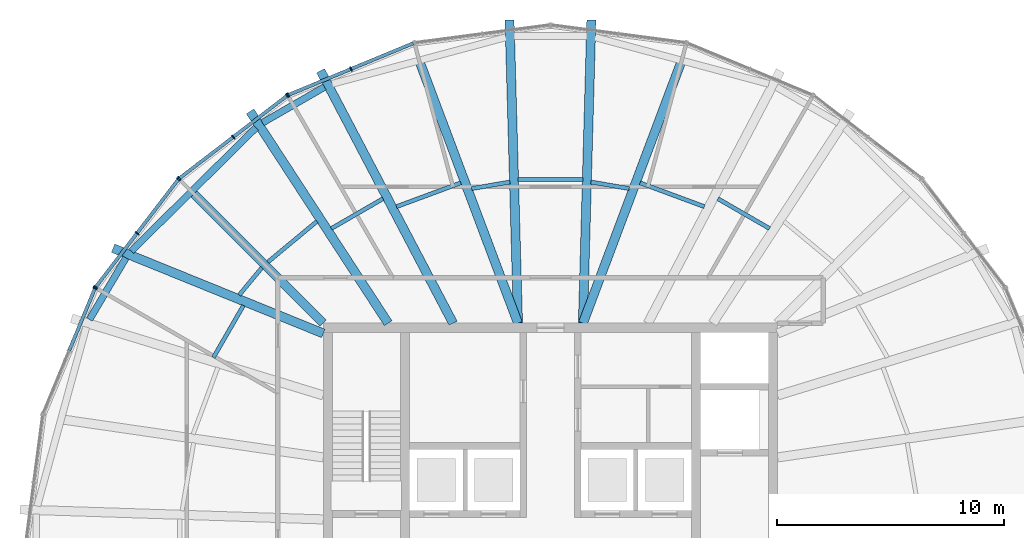
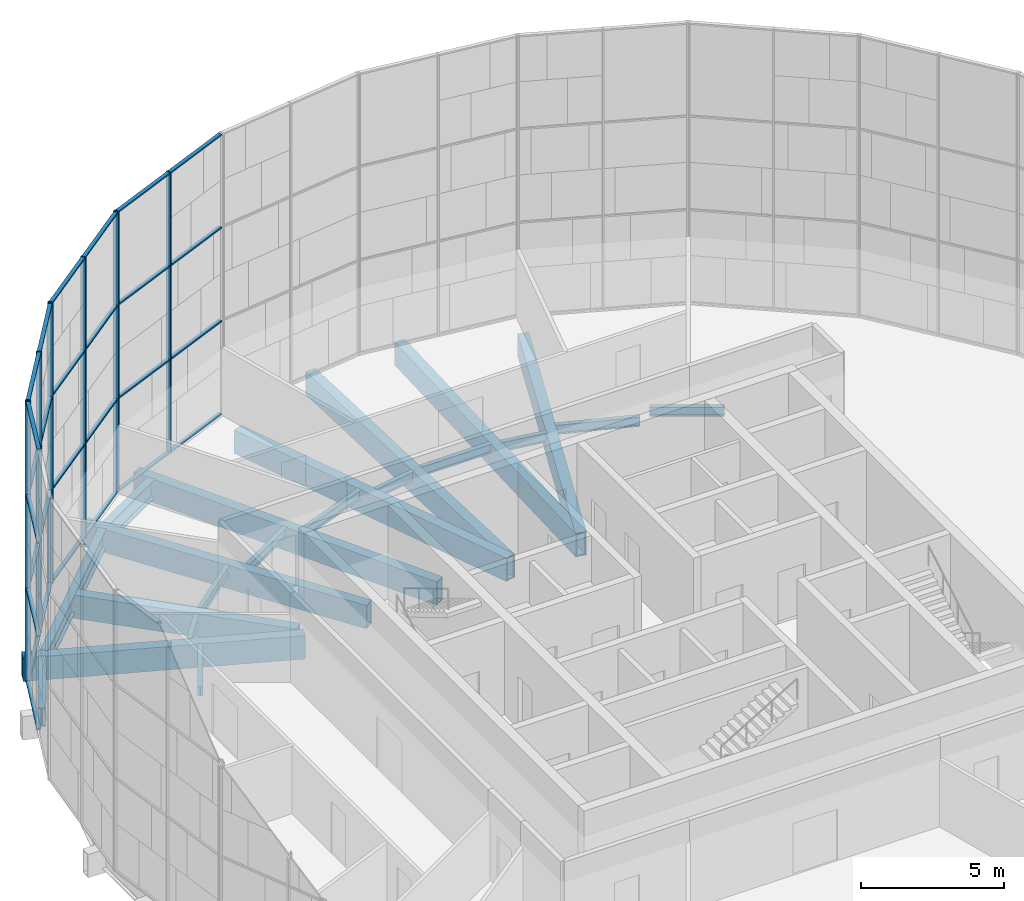
# One storey, part 6 of 23: 37 members, 21 beams, 4 elements without a shape of their own.
"""IFC4 building model written with IfcOpenShell, lengths in metres."""

from ifc_helpers import new_model, si_unit, direction, frame, origin, origin_2d, place, context, subcontext, project, spatial, rectangle, hollow_rectangle, i_section, extrude, material, material_profile, profile_set, type_object, element, aggregate, save


model = new_model("IFC4")

# Units and contexts
model_context = context("Model", 3, precision=1e-05, world=origin(), true_north=direction((0.0, 1.0)))
body_context = subcontext(model_context, "Body", "Model", "MODEL_VIEW")
ifc_project = project(units=[si_unit("LENGTHUNIT", "METRE"), si_unit("AREAUNIT", "SQUARE_METRE"), si_unit("VOLUMEUNIT", "CUBIC_METRE"), si_unit("PLANEANGLEUNIT", "RADIAN"), si_unit("MASSUNIT", "GRAM", prefix="KILO")], contexts=[model_context])

# Site, building, storey
site_placement = place(None, origin())
site = spatial("IfcSite", under=ifc_project, at=site_placement, CompositionType="ELEMENT")
building_placement = place(site_placement, origin())
building = spatial("IfcBuilding", under=site, at=building_placement, Name="Golbaran Civic Tower", CompositionType="ELEMENT")
storey_placement = place(building_placement, frame((0.0, 0.0, 220.0)))
storey = spatial("IfcBuildingStorey", under=building, at=storey_placement, Name="L53", CompositionType="ELEMENT", Elevation=220.0)

# Beams
ifc_material_1 = material(Name="Steel S355", Category="steel")
ifc_material_profile_1 = material_profile(ifc_material_1, i_section(OverallWidth=0.300048828125, OverallDepth=0.800048828125, WebThickness=0.017578125, FlangeThickness=0.032958984375, FilletRadius=0.030029296875, at=origin_2d()), Name="HEB 800")
ifc_profile_set_1 = profile_set([ifc_material_profile_1], Name="Steel S355")
beam_type_1 = type_object("IfcBeamType", Name="EDGE BEAM HEB 800", PredefinedType="BEAM", material=ifc_profile_set_1)
beam_1_placement = place(storey_placement, frame((-9.946044921875, 20.39697265625, -0.60009765625), z_axis=(-0.866234572261, -0.499637534438, 0.0), x_axis=(0.499637534438, -0.866234572261, 0.0)))
element("IfcBeam", 1, at=beam_1_placement, inside=storey, type_object=beam_type_1, Name="Edge beam 115.65 L53", PredefinedType="BEAM", context=body_context, shape_type="SweptSolid", body=[
    extrude(i_section(OverallWidth=0.300048828125, OverallDepth=0.800048828125, WebThickness=0.017578125, FlangeThickness=0.032958984375, FilletRadius=0.030029296875, at=origin_2d()), origin(), (0.0, 0.0, 1.0), 3.152587890625),
])
beam_2_placement = place(storey_placement, frame((-12.963623046875, 18.6025390625, -0.60009765625), z_axis=(-0.710954638033, -0.703237870609, 0.0), x_axis=(0.703237870609, -0.710954638033, 0.0)))
element("IfcBeam", 2, at=beam_2_placement, inside=storey, type_object=beam_type_1, Name="Edge beam 124.35 L53", PredefinedType="BEAM", context=body_context, shape_type="SweptSolid", body=[
    extrude(i_section(OverallWidth=0.300048828125, OverallDepth=0.800048828125, WebThickness=0.017578125, FlangeThickness=0.032958984375, FilletRadius=0.030029296875, at=origin_2d()), origin(), (0.0, 0.0, 1.0), 7.719482421875),
])
beam_3_placement = place(storey_placement, frame((-18.683837890625, 12.87939453125, -0.60009765625), z_axis=(-0.508797064338, -0.860886489219, 0.0), x_axis=(0.860886489219, -0.508797064338, 0.0)))
element("IfcBeam", 3, at=beam_3_placement, inside=storey, type_object=beam_type_1, Name="Edge beam 145.65 L53", PredefinedType="BEAM", context=body_context, shape_type="SweptSolid", body=[
    extrude(i_section(OverallWidth=0.300048828125, OverallDepth=0.800048828125, WebThickness=0.017578125, FlangeThickness=0.032958984375, FilletRadius=0.030029296875, at=origin_2d()), origin(), (0.0, 0.0, 1.0), 3.156494140625),
])
ifc_material_profile_2 = material_profile(ifc_material_1, i_section(OverallWidth=0.179931640625, OverallDepth=0.39990234375, WebThickness=0.008544921875, FlangeThickness=0.013427734375, FilletRadius=0.02099609375, at=origin_2d()), Name="IPE 400")
ifc_profile_set_2 = profile_set([ifc_material_profile_2], Name="Steel S355")
beam_type_2 = type_object("IfcBeamType", Name="FLOOR INFILL BEAM IPE 400", PredefinedType="BEAM", material=ifc_profile_set_2)
beam_4_placement = place(storey_placement, frame((9.64453125, 14.16845703125, -0.39990234375), z_axis=(-0.86602945008, 0.499992991546, 0.0), x_axis=(-0.499992991546, -0.86602945008, 0.0)))
element("IfcBeam", 4, at=beam_4_placement, inside=storey, type_object=beam_type_2, Name="Infill beam 60.00 L53", PredefinedType="BEAM", context=body_context, shape_type="SweptSolid", body=[
    extrude(i_section(OverallWidth=0.179931640625, OverallDepth=0.39990234375, WebThickness=0.008544921875, FlangeThickness=0.013427734375, FilletRadius=0.02099609375, at=origin_2d()), origin(), (0.0, 0.0, 1.0), 2.6298828125),
])
beam_5_placement = place(storey_placement, frame((6.775390625, 15.130859375, -0.39990234375), z_axis=(-0.937714606375, 0.347406558646, 0.0), x_axis=(-0.347406558646, -0.937714606375, 0.0)))
element("IfcBeam", 5, at=beam_5_placement, inside=storey, type_object=beam_type_2, Name="Infill beam 69.67 L53", PredefinedType="BEAM", context=body_context, shape_type="SweptSolid", body=[
    extrude(i_section(OverallWidth=0.179931640625, OverallDepth=0.39990234375, WebThickness=0.008544921875, FlangeThickness=0.013427734375, FilletRadius=0.02099609375, at=origin_2d()), origin(), (0.0, 0.0, 1.0), 3.018310546875),
])
beam_6_placement = place(storey_placement, frame((3.465576171875, 15.92724609375, -0.39990234375), z_axis=(-0.985796509331, 0.167944163907, 0.0), x_axis=(-0.167944163907, -0.985796509331, 0.0)))
element("IfcBeam", 6, at=beam_6_placement, inside=storey, type_object=beam_type_2, Name="Infill beam 80.33 L53", PredefinedType="BEAM", context=body_context, shape_type="SweptSolid", body=[
    extrude(i_section(OverallWidth=0.179931640625, OverallDepth=0.39990234375, WebThickness=0.008544921875, FlangeThickness=0.013427734375, FilletRadius=0.02099609375, at=origin_2d()), origin(), (0.0, 0.0, 1.0), 1.7080078125),
])
beam_7_placement = place(storey_placement, frame((1.424560546875, 16.318115234375, -0.39990234375), z_axis=(-1.0, 0.0, 0.0), x_axis=(0.0, -1.0, 0.0)))
element("IfcBeam", 7, at=beam_7_placement, inside=storey, type_object=beam_type_2, Name="Infill beam 90.00 L53", PredefinedType="BEAM", context=body_context, shape_type="SweptSolid", body=[
    extrude(i_section(OverallWidth=0.179931640625, OverallDepth=0.39990234375, WebThickness=0.008544921875, FlangeThickness=0.013427734375, FilletRadius=0.02099609375, at=origin_2d()), origin(), (0.0, 0.0, 1.0), 2.84912109375),
])
beam_8_placement = place(storey_placement, frame((-1.78173828125, 16.214111328125, -0.39990234375), z_axis=(-0.985796509331, -0.167944163907, 0.0), x_axis=(0.167944163907, -0.985796509331, 0.0)))
element("IfcBeam", 8, at=beam_8_placement, inside=storey, type_object=beam_type_2, Name="Infill beam 99.67 L53", PredefinedType="BEAM", context=body_context, shape_type="SweptSolid", body=[
    extrude(i_section(OverallWidth=0.179931640625, OverallDepth=0.39990234375, WebThickness=0.008544921875, FlangeThickness=0.013427734375, FilletRadius=0.02099609375, at=origin_2d()), origin(), (0.0, 0.0, 1.0), 1.7080078125),
])
beam_9_placement = place(storey_placement, frame((-3.945068359375, 16.179443359375, -0.39990234375), z_axis=(-0.937714606375, -0.347406558646, 0.0), x_axis=(0.347406558646, -0.937714606375, 0.0)))
element("IfcBeam", 9, at=beam_9_placement, inside=storey, type_object=beam_type_2, Name="Infill beam 110.33 L53", PredefinedType="BEAM", context=body_context, shape_type="SweptSolid", body=[
    extrude(i_section(OverallWidth=0.179931640625, OverallDepth=0.39990234375, WebThickness=0.008544921875, FlangeThickness=0.013427734375, FilletRadius=0.02099609375, at=origin_2d()), origin(), (0.0, 0.0, 1.0), 3.018310546875),
])
beam_10_placement = place(storey_placement, frame((-7.366943359375, 15.4833984375, -0.39990234375), z_axis=(-0.86602945008, -0.499992991546, 0.0), x_axis=(0.499992991546, -0.86602945008, 0.0)))
element("IfcBeam", 10, at=beam_10_placement, inside=storey, type_object=beam_type_2, Name="Infill beam 120.00 L53", PredefinedType="BEAM", context=body_context, shape_type="SweptSolid", body=[
    extrude(i_section(OverallWidth=0.179931640625, OverallDepth=0.39990234375, WebThickness=0.008544921875, FlangeThickness=0.013427734375, FilletRadius=0.02099609375, at=origin_2d()), origin(), (0.0, 0.0, 1.0), 2.6298828125),
])
beam_11_placement = place(storey_placement, frame((-10.279296875, 14.483154296875, -0.39990234375), z_axis=(-0.769689102047, -0.638418895546, 0.0), x_axis=(0.638418895546, -0.769689102047, 0.0)))
element("IfcBeam", 11, at=beam_11_placement, inside=storey, type_object=beam_type_2, Name="Infill beam 129.67 L53", PredefinedType="BEAM", context=body_context, shape_type="SweptSolid", body=[
    extrude(i_section(OverallWidth=0.179931640625, OverallDepth=0.39990234375, WebThickness=0.008544921875, FlangeThickness=0.013427734375, FilletRadius=0.02099609375, at=origin_2d()), origin(), (0.0, 0.0, 1.0), 2.8046875),
])
beam_12_placement = place(storey_placement, frame((-12.70068359375, 12.446044921875, -0.39990234375), z_axis=(-0.638367510065, -0.769731720857, 0.0), x_axis=(0.769731720857, -0.638367510065, 0.0)))
element("IfcBeam", 12, at=beam_12_placement, inside=storey, type_object=beam_type_2, Name="Infill beam 140.33 L53", PredefinedType="BEAM", context=body_context, shape_type="SweptSolid", body=[
    extrude(i_section(OverallWidth=0.179931640625, OverallDepth=0.39990234375, WebThickness=0.008544921875, FlangeThickness=0.013427734375, FilletRadius=0.02099609375, at=origin_2d()), origin(), (0.0, 0.0, 1.0), 1.56103515625),
])
beam_13_placement = place(storey_placement, frame((-13.5126953125, 10.781005859375, -0.39990234375), z_axis=(-0.500031469177, -0.866007234284, 0.0), x_axis=(0.866007234284, -0.500031469177, 0.0)))
element("IfcBeam", 13, at=beam_13_placement, inside=storey, type_object=beam_type_2, Name="Infill beam 150.00 L53", PredefinedType="BEAM", context=body_context, shape_type="SweptSolid", body=[
    extrude(i_section(OverallWidth=0.179931640625, OverallDepth=0.39990234375, WebThickness=0.008544921875, FlangeThickness=0.013427734375, FilletRadius=0.02099609375, at=origin_2d()), origin(), (0.0, 0.0, 1.0), 2.644287109375),
])

# Curtain wall, members
ifc_material_2 = material(Name="Aluminium and glass", Category="aluminium")
curtain_wall_type = type_object("IfcCurtainWallType", Name="INNER SKIN CURTAIN WALL EXECUTIVE", PredefinedType="NOTDEFINED", material=ifc_material_2)
curtain_wall_1_placement = place(storey_placement, origin())
curtain_wall_1 = element("IfcCurtainWall", 14, at=curtain_wall_1_placement, inside=storey, type_object=curtain_wall_type, Name="Inner skin L53 facet 8 CW2", ObjectType="INNER SKIN", PredefinedType="USERDEFINED")
ifc_material_3 = material(Name="Aluminium", Category="aluminium")
ifc_material_profile_3 = material_profile(ifc_material_3, rectangle(XDim=0.199951171875, YDim=0.06005859375, at=origin_2d()), Name="INNER SKIN CURTAIN WALL EXECUTIVE MULLION")
ifc_profile_set_3 = profile_set([ifc_material_profile_3], Name="Aluminium")
member_type_1 = type_object("IfcMemberType", Name="INNER SKIN CURTAIN WALL EXECUTIVE MULLION", PredefinedType="MULLION", material=ifc_profile_set_3)
member_1_placement = place(storey_placement, frame((-8.77734375, 21.190185546875, 0.0), z_axis=(0.0, 0.0, 1.0), x_axis=(0.382683432317, -0.923879532531, 0.0)))
member_1 = element("IfcMember", 15, at=member_1_placement, type_object=member_type_1, Name="CW2 mullion 2", PredefinedType="MULLION", context=body_context, shape_type="SweptSolid", body=[
    extrude(rectangle(XDim=0.199951171875, YDim=0.06005859375, at=origin_2d()), origin(), (0.0, 0.0, 1.0), 12.0),
])
member_2_placement = place(storey_placement, frame((-11.539306640625, 20.046142578125, 0.0), z_axis=(0.0, 0.0, 1.0), x_axis=(0.382683432317, -0.923879532531, 0.0)))
member_2 = element("IfcMember", 16, at=member_2_placement, type_object=member_type_1, Name="CW2 mullion 3", PredefinedType="MULLION", context=body_context, shape_type="SweptSolid", body=[
    extrude(rectangle(XDim=0.199951171875, YDim=0.06005859375, at=origin_2d()), origin(), (0.0, 0.0, 1.0), 12.0),
])

curtain_wall_2_placement = place(storey_placement, origin())
curtain_wall_2 = element("IfcCurtainWall", 17, at=curtain_wall_2_placement, inside=storey, type_object=curtain_wall_type, Name="Inner skin L53 facet 9 CW2", ObjectType="INNER SKIN", PredefinedType="USERDEFINED")
member_3_placement = place(storey_placement, frame((-11.5908203125, 20.016357421875, 0.0), z_axis=(0.0, 0.0, 1.0), x_axis=(0.608761428981, -0.793353340312, 0.0)))
member_3 = element("IfcMember", 18, at=member_3_placement, type_object=member_type_1, Name="CW2 mullion 1", PredefinedType="MULLION", context=body_context, shape_type="SweptSolid", body=[
    extrude(rectangle(XDim=0.199951171875, YDim=0.06005859375, at=origin_2d()), origin(), (0.0, 0.0, 1.0), 12.0),
])
member_4_placement = place(storey_placement, frame((-13.962646484375, 18.196533203125, 0.0), z_axis=(0.0, 0.0, 1.0), x_axis=(0.608761428981, -0.793353340312, 0.0)))
member_4 = element("IfcMember", 19, at=member_4_placement, type_object=member_type_1, Name="CW2 mullion 2", PredefinedType="MULLION", context=body_context, shape_type="SweptSolid", body=[
    extrude(rectangle(XDim=0.199951171875, YDim=0.06005859375, at=origin_2d()), origin(), (0.0, 0.0, 1.0), 12.0),
])
member_5_placement = place(storey_placement, frame((-16.33447265625, 16.37646484375, 0.0), z_axis=(0.0, 0.0, 1.0), x_axis=(0.608761428981, -0.793353340312, 0.0)))
member_5 = element("IfcMember", 20, at=member_5_placement, type_object=member_type_1, Name="CW2 mullion 3", PredefinedType="MULLION", context=body_context, shape_type="SweptSolid", body=[
    extrude(rectangle(XDim=0.199951171875, YDim=0.06005859375, at=origin_2d()), origin(), (0.0, 0.0, 1.0), 12.0),
])

curtain_wall_3_placement = place(storey_placement, origin())
curtain_wall_3 = element("IfcCurtainWall", 21, at=curtain_wall_3_placement, inside=storey, type_object=curtain_wall_type, Name="Inner skin L53 facet 10 CW2", ObjectType="INNER SKIN", PredefinedType="USERDEFINED")
member_6_placement = place(storey_placement, frame((-16.37646484375, 16.33447265625, 0.0), z_axis=(0.0, 0.0, 1.0), x_axis=(0.793353340312, -0.608761428981, 0.0)))
member_6 = element("IfcMember", 22, at=member_6_placement, type_object=member_type_1, Name="CW2 mullion 1", PredefinedType="MULLION", context=body_context, shape_type="SweptSolid", body=[
    extrude(rectangle(XDim=0.199951171875, YDim=0.06005859375, at=origin_2d()), origin(), (0.0, 0.0, 1.0), 12.0),
])
member_7_placement = place(storey_placement, frame((-18.196533203125, 13.962646484375, 0.0), z_axis=(0.0, 0.0, 1.0), x_axis=(0.793353340312, -0.608761428981, 0.0)))
member_7 = element("IfcMember", 23, at=member_7_placement, type_object=member_type_1, Name="CW2 mullion 2", PredefinedType="MULLION", context=body_context, shape_type="SweptSolid", body=[
    extrude(rectangle(XDim=0.199951171875, YDim=0.06005859375, at=origin_2d()), origin(), (0.0, 0.0, 1.0), 12.0),
])
member_8_placement = place(storey_placement, frame((-20.016357421875, 11.5908203125, 0.0), z_axis=(0.0, 0.0, 1.0), x_axis=(0.793353340312, -0.608761428981, 0.0)))
member_8 = element("IfcMember", 24, at=member_8_placement, type_object=member_type_1, Name="CW2 mullion 3", PredefinedType="MULLION", context=body_context, shape_type="SweptSolid", body=[
    extrude(rectangle(XDim=0.199951171875, YDim=0.06005859375, at=origin_2d()), origin(), (0.0, 0.0, 1.0), 12.0),
])

# Curtain wall, member
curtain_wall_4_placement = place(storey_placement, origin())
curtain_wall_4 = element("IfcCurtainWall", 25, at=curtain_wall_4_placement, inside=storey, type_object=curtain_wall_type, Name="Inner skin L53 facet 11 CW2", ObjectType="INNER SKIN", PredefinedType="USERDEFINED")
member_9_placement = place(storey_placement, frame((-20.046142578125, 11.539306640625, 0.0), z_axis=(0.0, 0.0, 1.0), x_axis=(0.923879532531, -0.382683432317, 0.0)))
member_9 = element("IfcMember", 26, at=member_9_placement, type_object=member_type_1, Name="CW2 mullion 1", PredefinedType="MULLION", context=body_context, shape_type="SweptSolid", body=[
    extrude(rectangle(XDim=0.199951171875, YDim=0.06005859375, at=origin_2d()), origin(), (0.0, 0.0, 1.0), 12.0),
])

# Member
ifc_material_profile_4 = material_profile(ifc_material_3, rectangle(XDim=0.14990234375, YDim=0.06005859375, at=origin_2d()), Name="INNER SKIN CURTAIN WALL EXECUTIVE TRANSOM")
ifc_profile_set_4 = profile_set([ifc_material_profile_4], Name="Aluminium")
member_type_2 = type_object("IfcMemberType", Name="INNER SKIN CURTAIN WALL EXECUTIVE TRANSOM", PredefinedType="USERDEFINED", material=ifc_profile_set_4)
member_10_placement = place(storey_placement, frame((-6.04296875, 22.32275390625, 0.030029296875), z_axis=(-0.923878694324, -0.382685455921, 0.0), x_axis=(0.382685455921, -0.923878694324, 0.0)))
member_10 = element("IfcMember", 27, at=member_10_placement, type_object=member_type_2, Name="CW2 transom 1.1", ObjectType="TRANSOM", PredefinedType="USERDEFINED", context=body_context, shape_type="SweptSolid", body=[
    extrude(rectangle(XDim=0.14990234375, YDim=0.06005859375, at=origin_2d()), origin(), (0.0, 0.0, 1.0), 2.929443359375),
])

member_11_placement = place(storey_placement, frame((-6.04296875, 22.32275390625, 4.0), z_axis=(-0.923878694324, -0.382685455921, 0.0), x_axis=(0.382685455921, -0.923878694324, 0.0)))
member_11 = element("IfcMember", 28, at=member_11_placement, type_object=member_type_2, Name="CW2 transom 1.2", ObjectType="TRANSOM", PredefinedType="USERDEFINED", context=body_context, shape_type="SweptSolid", body=[
    extrude(rectangle(XDim=0.14990234375, YDim=0.06005859375, at=origin_2d()), origin(), (0.0, 0.0, 1.0), 2.929443359375),
])

member_12_placement = place(storey_placement, frame((-6.04296875, 22.32275390625, 8.0), z_axis=(-0.923878694324, -0.382685455921, 0.0), x_axis=(0.382685455921, -0.923878694324, 0.0)))
member_12 = element("IfcMember", 29, at=member_12_placement, type_object=member_type_2, Name="CW2 transom 1.3", ObjectType="TRANSOM", PredefinedType="USERDEFINED", context=body_context, shape_type="SweptSolid", body=[
    extrude(rectangle(XDim=0.14990234375, YDim=0.06005859375, at=origin_2d()), origin(), (0.0, 0.0, 1.0), 2.929443359375),
])

member_13_placement = place(storey_placement, frame((-6.04296875, 22.32275390625, 11.969970703125), z_axis=(-0.923878694324, -0.382685455921, 0.0), x_axis=(0.382685455921, -0.923878694324, 0.0)))
member_13 = element("IfcMember", 30, at=member_13_placement, type_object=member_type_2, Name="CW2 transom 1.4", ObjectType="TRANSOM", PredefinedType="USERDEFINED", context=body_context, shape_type="SweptSolid", body=[
    extrude(rectangle(XDim=0.14990234375, YDim=0.06005859375, at=origin_2d()), origin(), (0.0, 0.0, 1.0), 2.929443359375),
])

member_14_placement = place(storey_placement, frame((-8.804931640625, 21.1787109375, 0.030029296875), z_axis=(-0.923878694324, -0.382685455921, 0.0), x_axis=(0.382685455921, -0.923878694324, 0.0)))
member_14 = element("IfcMember", 31, at=member_14_placement, type_object=member_type_2, Name="CW2 transom 2.1", ObjectType="TRANSOM", PredefinedType="USERDEFINED", context=body_context, shape_type="SweptSolid", body=[
    extrude(rectangle(XDim=0.14990234375, YDim=0.06005859375, at=origin_2d()), origin(), (0.0, 0.0, 1.0), 2.929443359375),
])

member_15_placement = place(storey_placement, frame((-8.804931640625, 21.1787109375, 4.0), z_axis=(-0.923878694324, -0.382685455921, 0.0), x_axis=(0.382685455921, -0.923878694324, 0.0)))
member_15 = element("IfcMember", 32, at=member_15_placement, type_object=member_type_2, Name="CW2 transom 2.2", ObjectType="TRANSOM", PredefinedType="USERDEFINED", context=body_context, shape_type="SweptSolid", body=[
    extrude(rectangle(XDim=0.14990234375, YDim=0.06005859375, at=origin_2d()), origin(), (0.0, 0.0, 1.0), 2.929443359375),
])

member_16_placement = place(storey_placement, frame((-8.804931640625, 21.1787109375, 8.0), z_axis=(-0.923878694324, -0.382685455921, 0.0), x_axis=(0.382685455921, -0.923878694324, 0.0)))
member_16 = element("IfcMember", 33, at=member_16_placement, type_object=member_type_2, Name="CW2 transom 2.3", ObjectType="TRANSOM", PredefinedType="USERDEFINED", context=body_context, shape_type="SweptSolid", body=[
    extrude(rectangle(XDim=0.14990234375, YDim=0.06005859375, at=origin_2d()), origin(), (0.0, 0.0, 1.0), 2.929443359375),
])

member_17_placement = place(storey_placement, frame((-8.804931640625, 21.1787109375, 11.969970703125), z_axis=(-0.923878694324, -0.382685455921, 0.0), x_axis=(0.382685455921, -0.923878694324, 0.0)))
member_17 = element("IfcMember", 34, at=member_17_placement, type_object=member_type_2, Name="CW2 transom 2.4", ObjectType="TRANSOM", PredefinedType="USERDEFINED", context=body_context, shape_type="SweptSolid", body=[
    extrude(rectangle(XDim=0.14990234375, YDim=0.06005859375, at=origin_2d()), origin(), (0.0, 0.0, 1.0), 2.929443359375),
])

aggregate(curtain_wall_1, [member_1, member_2, member_10, member_11, member_12, member_13, member_14, member_15, member_16, member_17])

member_18_placement = place(storey_placement, frame((-11.614501953125, 19.998046875, 0.030029296875), z_axis=(-0.793351445643, -0.608763898154, 0.0), x_axis=(0.608763898154, -0.793351445643, 0.0)))
member_18 = element("IfcMember", 35, at=member_18_placement, type_object=member_type_2, Name="CW2 transom 1.1", ObjectType="TRANSOM", PredefinedType="USERDEFINED", context=body_context, shape_type="SweptSolid", body=[
    extrude(rectangle(XDim=0.14990234375, YDim=0.06005859375, at=origin_2d()), origin(), (0.0, 0.0, 1.0), 2.9296875),
])

member_19_placement = place(storey_placement, frame((-11.614501953125, 19.998046875, 4.0), z_axis=(-0.793351445643, -0.608763898154, 0.0), x_axis=(0.608763898154, -0.793351445643, 0.0)))
member_19 = element("IfcMember", 36, at=member_19_placement, type_object=member_type_2, Name="CW2 transom 1.2", ObjectType="TRANSOM", PredefinedType="USERDEFINED", context=body_context, shape_type="SweptSolid", body=[
    extrude(rectangle(XDim=0.14990234375, YDim=0.06005859375, at=origin_2d()), origin(), (0.0, 0.0, 1.0), 2.9296875),
])

member_20_placement = place(storey_placement, frame((-11.614501953125, 19.998046875, 8.0), z_axis=(-0.793351445643, -0.608763898154, 0.0), x_axis=(0.608763898154, -0.793351445643, 0.0)))
member_20 = element("IfcMember", 37, at=member_20_placement, type_object=member_type_2, Name="CW2 transom 1.3", ObjectType="TRANSOM", PredefinedType="USERDEFINED", context=body_context, shape_type="SweptSolid", body=[
    extrude(rectangle(XDim=0.14990234375, YDim=0.06005859375, at=origin_2d()), origin(), (0.0, 0.0, 1.0), 2.9296875),
])

member_21_placement = place(storey_placement, frame((-11.614501953125, 19.998046875, 11.969970703125), z_axis=(-0.793351445643, -0.608763898154, 0.0), x_axis=(0.608763898154, -0.793351445643, 0.0)))
member_21 = element("IfcMember", 38, at=member_21_placement, type_object=member_type_2, Name="CW2 transom 1.4", ObjectType="TRANSOM", PredefinedType="USERDEFINED", context=body_context, shape_type="SweptSolid", body=[
    extrude(rectangle(XDim=0.14990234375, YDim=0.06005859375, at=origin_2d()), origin(), (0.0, 0.0, 1.0), 2.9296875),
])

member_22_placement = place(storey_placement, frame((-13.986328125, 18.17822265625, 0.030029296875), z_axis=(-0.793351445643, -0.608763898154, 0.0), x_axis=(0.608763898154, -0.793351445643, 0.0)))
member_22 = element("IfcMember", 39, at=member_22_placement, type_object=member_type_2, Name="CW2 transom 2.1", ObjectType="TRANSOM", PredefinedType="USERDEFINED", context=body_context, shape_type="SweptSolid", body=[
    extrude(rectangle(XDim=0.14990234375, YDim=0.06005859375, at=origin_2d()), origin(), (0.0, 0.0, 1.0), 2.9296875),
])

member_23_placement = place(storey_placement, frame((-13.986328125, 18.17822265625, 4.0), z_axis=(-0.793351445643, -0.608763898154, 0.0), x_axis=(0.608763898154, -0.793351445643, 0.0)))
member_23 = element("IfcMember", 40, at=member_23_placement, type_object=member_type_2, Name="CW2 transom 2.2", ObjectType="TRANSOM", PredefinedType="USERDEFINED", context=body_context, shape_type="SweptSolid", body=[
    extrude(rectangle(XDim=0.14990234375, YDim=0.06005859375, at=origin_2d()), origin(), (0.0, 0.0, 1.0), 2.9296875),
])

member_24_placement = place(storey_placement, frame((-13.986328125, 18.17822265625, 8.0), z_axis=(-0.793351445643, -0.608763898154, 0.0), x_axis=(0.608763898154, -0.793351445643, 0.0)))
member_24 = element("IfcMember", 41, at=member_24_placement, type_object=member_type_2, Name="CW2 transom 2.3", ObjectType="TRANSOM", PredefinedType="USERDEFINED", context=body_context, shape_type="SweptSolid", body=[
    extrude(rectangle(XDim=0.14990234375, YDim=0.06005859375, at=origin_2d()), origin(), (0.0, 0.0, 1.0), 2.9296875),
])

member_25_placement = place(storey_placement, frame((-13.986328125, 18.17822265625, 11.969970703125), z_axis=(-0.793351445643, -0.608763898154, 0.0), x_axis=(0.608763898154, -0.793351445643, 0.0)))
member_25 = element("IfcMember", 42, at=member_25_placement, type_object=member_type_2, Name="CW2 transom 2.4", ObjectType="TRANSOM", PredefinedType="USERDEFINED", context=body_context, shape_type="SweptSolid", body=[
    extrude(rectangle(XDim=0.14990234375, YDim=0.06005859375, at=origin_2d()), origin(), (0.0, 0.0, 1.0), 2.9296875),
])

aggregate(curtain_wall_2, [member_3, member_4, member_5, member_18, member_19, member_20, member_21, member_22, member_23, member_24, member_25])

member_26_placement = place(storey_placement, frame((-16.394775390625, 16.310546875, 0.030029296875), z_axis=(-0.608763898154, -0.793351445643, 0.0), x_axis=(0.793351445643, -0.608763898154, 0.0)))
member_26 = element("IfcMember", 43, at=member_26_placement, type_object=member_type_2, Name="CW2 transom 1.1", ObjectType="TRANSOM", PredefinedType="USERDEFINED", context=body_context, shape_type="SweptSolid", body=[
    extrude(rectangle(XDim=0.14990234375, YDim=0.06005859375, at=origin_2d()), origin(), (0.0, 0.0, 1.0), 2.9296875),
])

member_27_placement = place(storey_placement, frame((-16.394775390625, 16.310546875, 4.0), z_axis=(-0.608763898154, -0.793351445643, 0.0), x_axis=(0.793351445643, -0.608763898154, 0.0)))
member_27 = element("IfcMember", 44, at=member_27_placement, type_object=member_type_2, Name="CW2 transom 1.2", ObjectType="TRANSOM", PredefinedType="USERDEFINED", context=body_context, shape_type="SweptSolid", body=[
    extrude(rectangle(XDim=0.14990234375, YDim=0.06005859375, at=origin_2d()), origin(), (0.0, 0.0, 1.0), 2.9296875),
])

member_28_placement = place(storey_placement, frame((-16.394775390625, 16.310546875, 8.0), z_axis=(-0.608763898154, -0.793351445643, 0.0), x_axis=(0.793351445643, -0.608763898154, 0.0)))
member_28 = element("IfcMember", 45, at=member_28_placement, type_object=member_type_2, Name="CW2 transom 1.3", ObjectType="TRANSOM", PredefinedType="USERDEFINED", context=body_context, shape_type="SweptSolid", body=[
    extrude(rectangle(XDim=0.14990234375, YDim=0.06005859375, at=origin_2d()), origin(), (0.0, 0.0, 1.0), 2.9296875),
])

member_29_placement = place(storey_placement, frame((-16.394775390625, 16.310546875, 11.969970703125), z_axis=(-0.608763898154, -0.793351445643, 0.0), x_axis=(0.793351445643, -0.608763898154, 0.0)))
member_29 = element("IfcMember", 46, at=member_29_placement, type_object=member_type_2, Name="CW2 transom 1.4", ObjectType="TRANSOM", PredefinedType="USERDEFINED", context=body_context, shape_type="SweptSolid", body=[
    extrude(rectangle(XDim=0.14990234375, YDim=0.06005859375, at=origin_2d()), origin(), (0.0, 0.0, 1.0), 2.9296875),
])

member_30_placement = place(storey_placement, frame((-18.214599609375, 13.938720703125, 0.030029296875), z_axis=(-0.608763898154, -0.793351445643, 0.0), x_axis=(0.793351445643, -0.608763898154, 0.0)))
member_30 = element("IfcMember", 47, at=member_30_placement, type_object=member_type_2, Name="CW2 transom 2.1", ObjectType="TRANSOM", PredefinedType="USERDEFINED", context=body_context, shape_type="SweptSolid", body=[
    extrude(rectangle(XDim=0.14990234375, YDim=0.06005859375, at=origin_2d()), origin(), (0.0, 0.0, 1.0), 2.9296875),
])

member_31_placement = place(storey_placement, frame((-18.214599609375, 13.938720703125, 4.0), z_axis=(-0.608763898154, -0.793351445643, 0.0), x_axis=(0.793351445643, -0.608763898154, 0.0)))
member_31 = element("IfcMember", 48, at=member_31_placement, type_object=member_type_2, Name="CW2 transom 2.2", ObjectType="TRANSOM", PredefinedType="USERDEFINED", context=body_context, shape_type="SweptSolid", body=[
    extrude(rectangle(XDim=0.14990234375, YDim=0.06005859375, at=origin_2d()), origin(), (0.0, 0.0, 1.0), 2.9296875),
])

member_32_placement = place(storey_placement, frame((-18.214599609375, 13.938720703125, 8.0), z_axis=(-0.608763898154, -0.793351445643, 0.0), x_axis=(0.793351445643, -0.608763898154, 0.0)))
member_32 = element("IfcMember", 49, at=member_32_placement, type_object=member_type_2, Name="CW2 transom 2.3", ObjectType="TRANSOM", PredefinedType="USERDEFINED", context=body_context, shape_type="SweptSolid", body=[
    extrude(rectangle(XDim=0.14990234375, YDim=0.06005859375, at=origin_2d()), origin(), (0.0, 0.0, 1.0), 2.9296875),
])

member_33_placement = place(storey_placement, frame((-18.214599609375, 13.938720703125, 11.969970703125), z_axis=(-0.608763898154, -0.793351445643, 0.0), x_axis=(0.793351445643, -0.608763898154, 0.0)))
member_33 = element("IfcMember", 50, at=member_33_placement, type_object=member_type_2, Name="CW2 transom 2.4", ObjectType="TRANSOM", PredefinedType="USERDEFINED", context=body_context, shape_type="SweptSolid", body=[
    extrude(rectangle(XDim=0.14990234375, YDim=0.06005859375, at=origin_2d()), origin(), (0.0, 0.0, 1.0), 2.9296875),
])

aggregate(curtain_wall_3, [member_6, member_7, member_8, member_26, member_27, member_28, member_29, member_30, member_31, member_32, member_33])

member_34_placement = place(storey_placement, frame((-20.0576171875, 11.511474609375, 0.030029296875), z_axis=(-0.382685455921, -0.923878694324, 0.0), x_axis=(0.923878694324, -0.382685455921, 0.0)))
member_34 = element("IfcMember", 51, at=member_34_placement, type_object=member_type_2, Name="CW2 transom 1.1", ObjectType="TRANSOM", PredefinedType="USERDEFINED", context=body_context, shape_type="SweptSolid", body=[
    extrude(rectangle(XDim=0.14990234375, YDim=0.06005859375, at=origin_2d()), origin(), (0.0, 0.0, 1.0), 2.929443359375),
])

member_35_placement = place(storey_placement, frame((-20.0576171875, 11.511474609375, 4.0), z_axis=(-0.382685455921, -0.923878694324, 0.0), x_axis=(0.923878694324, -0.382685455921, 0.0)))
member_35 = element("IfcMember", 52, at=member_35_placement, type_object=member_type_2, Name="CW2 transom 1.2", ObjectType="TRANSOM", PredefinedType="USERDEFINED", context=body_context, shape_type="SweptSolid", body=[
    extrude(rectangle(XDim=0.14990234375, YDim=0.06005859375, at=origin_2d()), origin(), (0.0, 0.0, 1.0), 2.929443359375),
])

member_36_placement = place(storey_placement, frame((-20.0576171875, 11.511474609375, 8.0), z_axis=(-0.382685455921, -0.923878694324, 0.0), x_axis=(0.923878694324, -0.382685455921, 0.0)))
member_36 = element("IfcMember", 53, at=member_36_placement, type_object=member_type_2, Name="CW2 transom 1.3", ObjectType="TRANSOM", PredefinedType="USERDEFINED", context=body_context, shape_type="SweptSolid", body=[
    extrude(rectangle(XDim=0.14990234375, YDim=0.06005859375, at=origin_2d()), origin(), (0.0, 0.0, 1.0), 2.929443359375),
])

member_37_placement = place(storey_placement, frame((-20.0576171875, 11.511474609375, 11.969970703125), z_axis=(-0.382685455921, -0.923878694324, 0.0), x_axis=(0.923878694324, -0.382685455921, 0.0)))
member_37 = element("IfcMember", 54, at=member_37_placement, type_object=member_type_2, Name="CW2 transom 1.4", ObjectType="TRANSOM", PredefinedType="USERDEFINED", context=body_context, shape_type="SweptSolid", body=[
    extrude(rectangle(XDim=0.14990234375, YDim=0.06005859375, at=origin_2d()), origin(), (0.0, 0.0, 1.0), 2.929443359375),
])

aggregate(curtain_wall_4, [member_9, member_34, member_35, member_36, member_37])

# Beams
ifc_material_profile_5 = material_profile(ifc_material_1, hollow_rectangle(XDim=0.39990234375, YDim=1.0, WallThickness=0.050048828125, at=origin_2d()), Name="BOX 1000x400x50")
ifc_profile_set_5 = profile_set([ifc_material_profile_5], Name="Steel S355")
beam_type_3 = type_object("IfcBeamType", Name="RADIAL FLOOR BEAM BOX 1000x400x50", PredefinedType="BEAM", material=ifc_profile_set_5)
for number, where, z_axis, x_axis, name in (
    (55, (1.428466796875, 10.0, -0.7099609375), (0.027858965148, 0.999611863706, 0.0), (-0.999611863706, 0.027858965148, 0.0), "Radial beam 85.65 L53"),
    (56, (-1.428466796875, 10.0, -0.7099609375), (-0.027858965148, 0.999611863706, 0.0), (-0.999611863706, -0.027858965148, 0.0), "Radial beam 94.35 L53"),
):
    element("IfcBeam", number, at=place(storey_placement, frame(where, z_axis=z_axis, x_axis=x_axis)), inside=storey, type_object=beam_type_3, Name=name, PredefinedType="BEAM", context=body_context, shape_type="SweptSolid", body=[
        extrude(hollow_rectangle(XDim=0.39990234375, YDim=1.0, WallThickness=0.050048828125, at=origin_2d()), origin(), (0.0, 0.0, 1.0), 13.3466796875),
    ])
beam_14_placement = place(storey_placement, frame((-4.28564453125, 10.0, -0.7099609375), z_axis=(-0.464743920616, 0.885445135653, 0.0), x_axis=(-0.885445135653, -0.464743920616, 0.0)))
element("IfcBeam", 57, at=beam_14_placement, inside=storey, type_object=beam_type_3, Name="Radial beam 115.65 L53", PredefinedType="BEAM", context=body_context, shape_type="SweptSolid", body=[
    extrude(hollow_rectangle(XDim=0.39990234375, YDim=1.0, WallThickness=0.050048828125, at=origin_2d()), origin(), (0.0, 0.0, 1.0), 12.550048828125),
])
beam_15_placement = place(storey_placement, frame((-7.142822265625, 10.0, -0.7099609375), z_axis=(-0.545967278319, 0.837806499739, 0.0), x_axis=(-0.837806499739, -0.545967278319, 0.0)))
element("IfcBeam", 58, at=beam_15_placement, inside=storey, type_object=beam_type_3, Name="Radial beam 124.35 L53", PredefinedType="BEAM", context=body_context, shape_type="SweptSolid", body=[
    extrude(hollow_rectangle(XDim=0.39990234375, YDim=1.0, WallThickness=0.050048828125, at=origin_2d()), origin(), (0.0, 0.0, 1.0), 11.128662109375),
])
beam_16_placement = place(storey_placement, frame((-10.0, 9.550048828125, -0.7099609375), z_axis=(-0.926620006077, 0.375999154704, 0.0), x_axis=(-0.375999154704, -0.926620006077, 0.0)))
element("IfcBeam", 59, at=beam_16_placement, inside=storey, type_object=beam_type_3, Name="Radial beam 145.65 L53", PredefinedType="BEAM", context=body_context, shape_type="SweptSolid", body=[
    extrude(hollow_rectangle(XDim=0.39990234375, YDim=1.0, WallThickness=0.050048828125, at=origin_2d()), origin(), (0.0, 0.0, 1.0), 9.982421875),
])
ifc_material_profile_6 = material_profile(ifc_material_1, hollow_rectangle(XDim=0.39990234375, YDim=1.0, WallThickness=0.0400390625, at=origin_2d()), Name="BOX 1000x400x40")
ifc_profile_set_6 = profile_set([ifc_material_profile_6], Name="Steel S355")
beam_type_4 = type_object("IfcBeamType", Name="SECONDARY FLOOR BEAM BOX 1000x400x40", PredefinedType="BEAM", material=ifc_profile_set_6)
for number, where, z_axis, x_axis, name in (
    (60, (1.428466796875, 10.0, -0.7099609375), (0.35206096287, 0.935977071527, 0.0), (-0.935977071527, 0.35206096287, 0.0), "Secondary beam 75.00 L53"),
    (61, (-1.428466796875, 10.0, -0.7099609375), (-0.35206096287, 0.935977071527, 0.0), (-0.935977071527, -0.35206096287, 0.0), "Secondary beam 105.00 L53"),
):
    element("IfcBeam", number, at=place(storey_placement, frame(where, z_axis=z_axis, x_axis=x_axis)), inside=storey, type_object=beam_type_4, Name=name, PredefinedType="BEAM", context=body_context, shape_type="SweptSolid", body=[
        extrude(hollow_rectangle(XDim=0.39990234375, YDim=1.0, WallThickness=0.0400390625, at=origin_2d()), origin(), (0.0, 0.0, 1.0), 12.354736328125),
    ])
beam_17_placement = place(storey_placement, frame((-10.0, 10.0, -0.7099609375), z_axis=(-0.707106781187, 0.707106781187, 0.0), x_axis=(-0.707106781187, -0.707106781187, 0.0)))
element("IfcBeam", 62, at=beam_17_placement, inside=storey, type_object=beam_type_4, Name="Secondary beam 135.00 L53", PredefinedType="BEAM", context=body_context, shape_type="SweptSolid", body=[
    extrude(hollow_rectangle(XDim=0.39990234375, YDim=1.0, WallThickness=0.0400390625, at=origin_2d()), origin(), (0.0, 0.0, 1.0), 8.2001953125),
])

save(model, "model.ifc")
